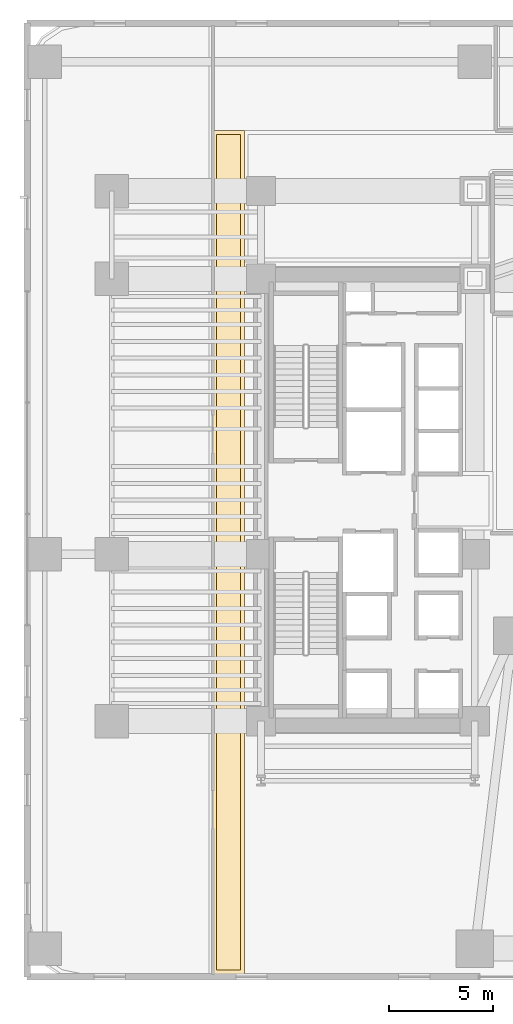
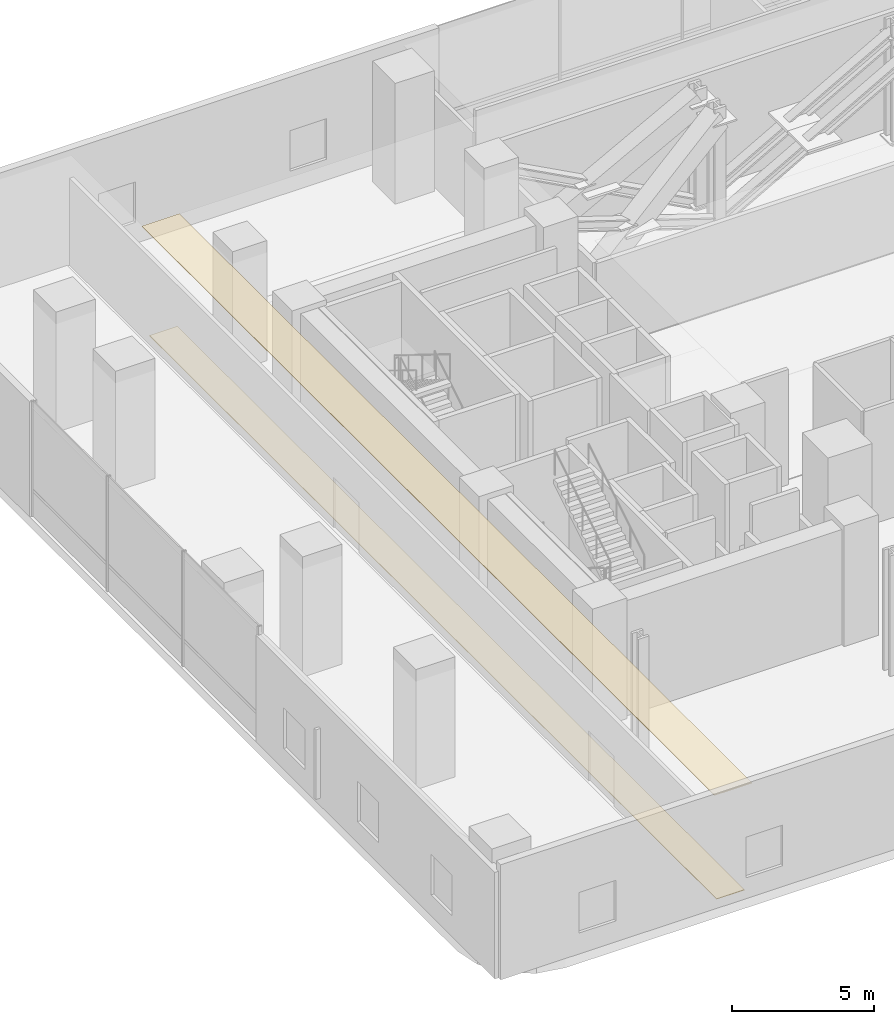
# One storey, part 34 of 41: 2 coverings.
"""IFC4 building model written with IfcOpenShell, lengths in metres."""

from ifc_helpers import new_model, si_unit, direction, frame, origin, place, context, subcontext, project, spatial, polyline, outline, extrude, material, layer, layer_set, type_object, element, save


model = new_model("IFC4")

# Units and contexts
model_context = context("Model", 3, precision=1e-05, world=origin(), true_north=direction((0.0, 1.0)))
body_context = subcontext(model_context, "Body", "Model", "MODEL_VIEW")
ifc_project = project(units=[si_unit("LENGTHUNIT", "METRE"), si_unit("AREAUNIT", "SQUARE_METRE"), si_unit("VOLUMEUNIT", "CUBIC_METRE"), si_unit("PLANEANGLEUNIT", "RADIAN"), si_unit("MASSUNIT", "GRAM", prefix="KILO")], contexts=[model_context])

# Site, building, storey
site_placement = place(None, origin())
site = spatial("IfcSite", under=ifc_project, at=site_placement, CompositionType="ELEMENT")
building_placement = place(site_placement, origin())
building = spatial("IfcBuilding", under=site, at=building_placement, Name="Valdorenza Pilgrim Sanctuary Tower", CompositionType="ELEMENT")
storey_placement = place(building_placement, frame((0.0, 0.0, 20.800048828125)))
storey = spatial("IfcBuildingStorey", under=building, at=storey_placement, Name="L04", CompositionType="ELEMENT", Elevation=20.800048828125)

# Coverings
ifc_material_1 = material(Name="Micro-perforated acoustic mineral ceiling tile", Category="gypsum")
ifc_layer_1 = layer(ifc_material_1, 0.02490234375, Name="Micro-perforated acoustic mineral ceiling tile")
ifc_layer_set_1 = layer_set([ifc_layer_1], Name="Micro-perforated acoustic mineral ceiling tile")
covering_type_1 = type_object("IfcCoveringType", Name="COV-CLG-ACU", PredefinedType="CEILING", material=ifc_layer_set_1)
covering_1_placement = place(storey_placement, frame((0.0, 0.0, 4.659912109375)))
element("IfcCovering", 1, at=covering_1_placement, inside=storey, type_object=covering_type_1, Name="L04 L04 Podium West Corridor Acoustic Ceiling", PredefinedType="CEILING", context=body_context, shape_type="SweptSolid", body=[
    extrude(outline(polyline([(-23.449951171875, 17.715087890625), (-23.448486328125, 17.71484375), (-23.447021484375, 17.714599609375), (-23.445556640625, 17.71435546875), (-23.4443359375, 17.7138671875), (-23.44287109375, 17.713134765625), (-23.441650390625, 17.71240234375), (-23.4404296875, 17.711669921875), (-23.439453125, 17.710693359375), (-23.4384765625, 17.70947265625), (-23.4375, 17.708251953125), (-23.436767578125, 17.70703125), (-23.43603515625, 17.705810546875), (-23.435546875, 17.704345703125), (-23.435302734375, 17.702880859375), (-23.43505859375, 17.701416015625), (-23.43505859375, 17.699951171875), (-23.43505859375, -22.699951171875), (-23.43505859375, -22.701416015625), (-23.435302734375, -22.702880859375), (-23.435546875, -22.704345703125), (-23.43603515625, -22.705810546875), (-23.436767578125, -22.70703125), (-23.4375, -22.708251953125), (-23.4384765625, -22.70947265625), (-23.439453125, -22.710693359375), (-23.4404296875, -22.711669921875), (-23.441650390625, -22.71240234375), (-23.44287109375, -22.713134765625), (-23.4443359375, -22.7138671875), (-23.445556640625, -22.71435546875), (-23.447021484375, -22.714599609375), (-23.448486328125, -22.71484375), (-23.449951171875, -22.715087890625), (-24.947998046875, -22.715087890625), (-24.949462890625, -22.71484375), (-24.950927734375, -22.714599609375), (-24.952392578125, -22.71435546875), (-24.95361328125, -22.7138671875), (-24.955078125, -22.713134765625), (-24.956298828125, -22.71240234375), (-24.95751953125, -22.711669921875), (-24.95849609375, -22.710693359375), (-24.959716796875, -22.70947265625), (-24.96044921875, -22.708251953125), (-24.961181640625, -22.70703125), (-24.9619140625, -22.705810546875), (-24.96240234375, -22.704345703125), (-24.962646484375, -22.702880859375), (-24.962890625, -22.701416015625), (-24.962890625, -22.699951171875), (-24.962890625, 17.699951171875), (-24.962890625, 17.701416015625), (-24.962646484375, 17.702880859375), (-24.96240234375, 17.704345703125), (-24.9619140625, 17.705810546875), (-24.961181640625, 17.70703125), (-24.96044921875, 17.708251953125), (-24.959716796875, 17.70947265625), (-24.95849609375, 17.710693359375), (-24.95751953125, 17.711669921875), (-24.956298828125, 17.71240234375), (-24.955078125, 17.713134765625), (-24.95361328125, 17.7138671875), (-24.952392578125, 17.71435546875), (-24.950927734375, 17.714599609375), (-24.949462890625, 17.71484375), (-24.947998046875, 17.715087890625), (-23.449951171875, 17.715087890625)])), origin(), (0.0, 0.0, 1.0), 0.025146484375),
])
ifc_material_2 = material(Name="Honed travertine stone flooring", Category="masonry")
ifc_layer_2 = layer(ifc_material_2, 0.030029296875, Name="Honed travertine stone flooring")
ifc_layer_set_2 = layer_set([ifc_layer_2], Name="Honed travertine stone flooring")
covering_type_2 = type_object("IfcCoveringType", Name="COV-FLR-TRV", PredefinedType="FLOORING", material=ifc_layer_set_2)
covering_2_placement = place(storey_placement, origin())
element("IfcCovering", 2, at=covering_2_placement, inside=storey, type_object=covering_type_2, Name="L04 L04 Podium West Corridor Flooring", PredefinedType="FLOORING", context=body_context, shape_type="SweptSolid", body=[
    extrude(outline(polyline([(-23.6298828125, 17.52001953125), (-23.6298828125, -22.52001953125), (-24.76806640625, -22.52001953125), (-24.76806640625, 17.52001953125), (-23.6298828125, 17.52001953125)])), origin(), (0.0, 0.0, 1.0), 0.02490234375),
])

save(model, "model.ifc")
